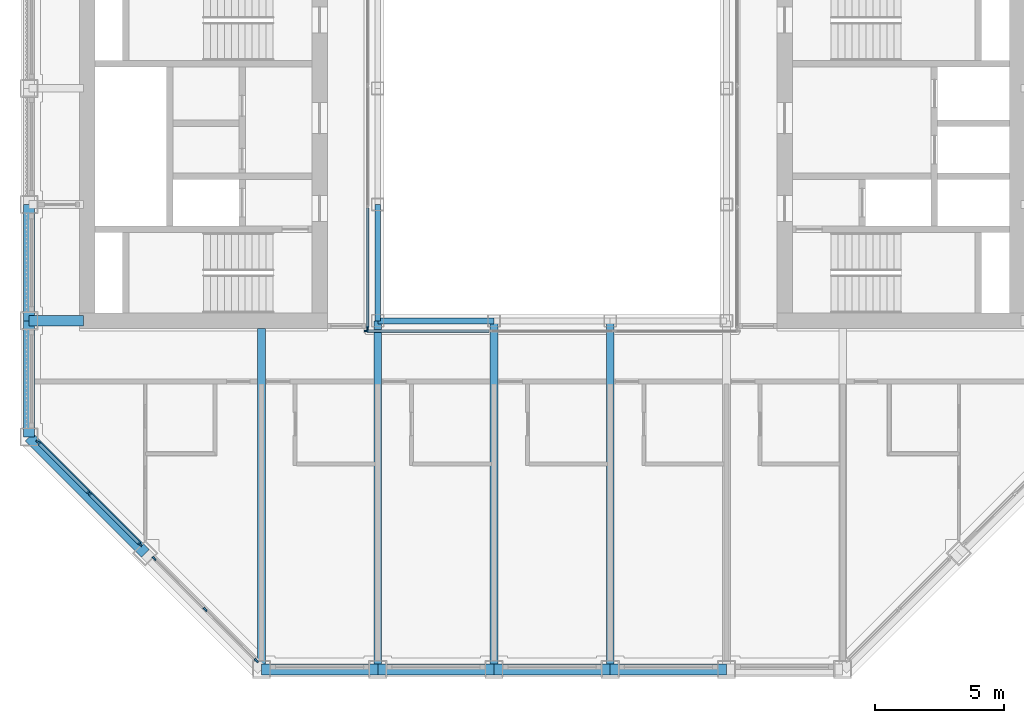
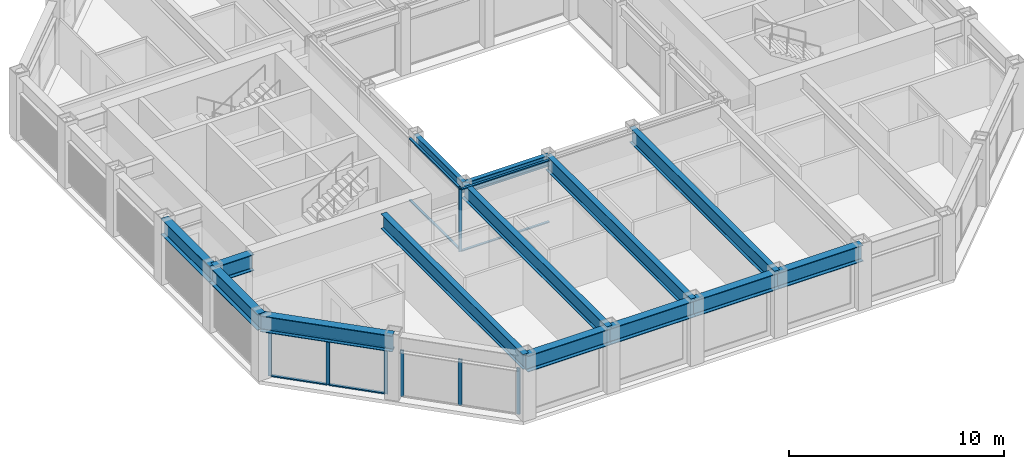
# One storey, part 2 of 18: 16 members, 14 beams, 4 elements without a shape of their own.
"""IFC4 building model written with IfcOpenShell, lengths in metres."""

from ifc_helpers import new_model, si_unit, direction, frame, origin, origin_2d, place, context, subcontext, project, spatial, rectangle, i_section, extrude, material, material_profile, profile_set, type_object, element, aggregate, save


model = new_model("IFC4")

# Units and contexts
model_context = context("Model", 3, precision=1e-05, world=origin(), true_north=direction((0.0, 1.0)))
body_context = subcontext(model_context, "Body", "Model", "MODEL_VIEW")
ifc_project = project(units=[si_unit("LENGTHUNIT", "METRE"), si_unit("AREAUNIT", "SQUARE_METRE"), si_unit("VOLUMEUNIT", "CUBIC_METRE"), si_unit("PLANEANGLEUNIT", "RADIAN"), si_unit("MASSUNIT", "GRAM", prefix="KILO")], contexts=[model_context])

# Site, building, storey
site_placement = place(None, origin())
site = spatial("IfcSite", under=ifc_project, at=site_placement, CompositionType="ELEMENT")
building_placement = place(site_placement, origin())
building = spatial("IfcBuilding", under=site, at=building_placement, Name="Msasa Ring Tower", CompositionType="ELEMENT")
storey_placement = place(building_placement, frame((0.0, 0.0, 200.800048828125)))
storey = spatial("IfcBuildingStorey", under=building, at=storey_placement, Name="L52", CompositionType="ELEMENT", Elevation=200.800048828125)

# Curtain wall, members
ifc_material_1 = material(Name="Aluminium curtain wall with clear glass", Category="aluminium")
curtain_wall_type_1 = type_object("IfcCurtainWallType", Name="CW-C CHAMFER CORNER CURTAIN WALL", PredefinedType="NOTDEFINED", material=ifc_material_1)
curtain_wall_1_placement = place(storey_placement, origin())
curtain_wall_1 = element("IfcCurtainWall", 1, at=curtain_wall_1_placement, inside=storey, type_object=curtain_wall_type_1, Name="Chamfer corner curtain wall SW L52", PredefinedType="NOTDEFINED")
ifc_material_2 = material(Name="Aluminium mullion", Category="aluminium")
ifc_material_profile_1 = material_profile(ifc_material_2, rectangle(XDim=0.06494140625, YDim=0.179931640625, at=origin_2d()), Name="AL 65x180")
ifc_profile_set_1 = profile_set([ifc_material_profile_1], Name="Aluminium mullion")
member_type_1 = type_object("IfcMemberType", Name="CW-C MULLION 65x180", PredefinedType="MULLION", material=ifc_profile_set_1)
member_1_placement = place(storey_placement, frame((-19.9052734375, -11.453369140625, 0.0), z_axis=(0.0, 0.0, 1.0), x_axis=(0.707106781187, 0.707106781187, 0.0)))
member_1 = element("IfcMember", 2, at=member_1_placement, type_object=member_type_1, Name="CW-C mullion 1", PredefinedType="MULLION", context=body_context, shape_type="SweptSolid", body=[
    extrude(rectangle(XDim=0.06494140625, YDim=0.179931640625, at=origin_2d()), origin(), (0.0, 0.0, 1.0), 2.62890625),
])
member_2_placement = place(storey_placement, frame((-17.92919921875, -13.42919921875, 0.0), z_axis=(0.0, 0.0, 1.0), x_axis=(0.707106781187, 0.707106781187, 0.0)))
member_2 = element("IfcMember", 3, at=member_2_placement, type_object=member_type_1, Name="CW-C mullion 2", PredefinedType="MULLION", context=body_context, shape_type="SweptSolid", body=[
    extrude(rectangle(XDim=0.06494140625, YDim=0.179931640625, at=origin_2d()), origin(), (0.0, 0.0, 1.0), 2.62890625),
])
member_3_placement = place(storey_placement, frame((-15.953369140625, -15.4052734375, 0.0), z_axis=(0.0, 0.0, 1.0), x_axis=(0.707106781187, 0.707106781187, 0.0)))
member_3 = element("IfcMember", 4, at=member_3_placement, type_object=member_type_1, Name="CW-C mullion 3", PredefinedType="MULLION", context=body_context, shape_type="SweptSolid", body=[
    extrude(rectangle(XDim=0.06494140625, YDim=0.179931640625, at=origin_2d()), origin(), (0.0, 0.0, 1.0), 2.62890625),
])

curtain_wall_2_placement = place(storey_placement, origin())
curtain_wall_2 = element("IfcCurtainWall", 5, at=curtain_wall_2_placement, inside=storey, type_object=curtain_wall_type_1, Name="Chamfer corner curtain wall SW L52", PredefinedType="NOTDEFINED")
member_4_placement = place(storey_placement, frame((-15.4052734375, -15.953369140625, 0.0), z_axis=(0.0, 0.0, 1.0), x_axis=(0.707106781187, 0.707106781187, 0.0)))
member_4 = element("IfcMember", 6, at=member_4_placement, type_object=member_type_1, Name="CW-C mullion 1", PredefinedType="MULLION", context=body_context, shape_type="SweptSolid", body=[
    extrude(rectangle(XDim=0.06494140625, YDim=0.179931640625, at=origin_2d()), origin(), (0.0, 0.0, 1.0), 2.62890625),
])
member_5_placement = place(storey_placement, frame((-13.42919921875, -17.92919921875, 0.0), z_axis=(0.0, 0.0, 1.0), x_axis=(0.707106781187, 0.707106781187, 0.0)))
member_5 = element("IfcMember", 7, at=member_5_placement, type_object=member_type_1, Name="CW-C mullion 2", PredefinedType="MULLION", context=body_context, shape_type="SweptSolid", body=[
    extrude(rectangle(XDim=0.06494140625, YDim=0.179931640625, at=origin_2d()), origin(), (0.0, 0.0, 1.0), 2.62890625),
])
member_6_placement = place(storey_placement, frame((-11.453369140625, -19.9052734375, 0.0), z_axis=(0.0, 0.0, 1.0), x_axis=(0.707106781187, 0.707106781187, 0.0)))
member_6 = element("IfcMember", 8, at=member_6_placement, type_object=member_type_1, Name="CW-C mullion 3", PredefinedType="MULLION", context=body_context, shape_type="SweptSolid", body=[
    extrude(rectangle(XDim=0.06494140625, YDim=0.179931640625, at=origin_2d()), origin(), (0.0, 0.0, 1.0), 2.62890625),
])
aggregate(curtain_wall_2, [member_4, member_5, member_6])

# Member
ifc_material_3 = material(Name="Aluminium transom", Category="aluminium")
ifc_material_profile_2 = material_profile(ifc_material_3, rectangle(XDim=0.139892578125, YDim=0.06494140625, at=origin_2d()), Name="AL 65x140")
ifc_profile_set_2 = profile_set([ifc_material_profile_2], Name="Aluminium transom")
member_type_2 = type_object("IfcMemberType", Name="CW-C TRANSOM 65x140", PredefinedType="USERDEFINED", material=ifc_profile_set_2)
member_7_placement = place(storey_placement, frame((-19.88232421875, -11.476318359375, 0.032470703125), z_axis=(0.707106781187, -0.707106781187, 0.0), x_axis=(0.707106781187, 0.707106781187, 0.0)))
member_7 = element("IfcMember", 9, at=member_7_placement, type_object=member_type_2, Name="CW-C transom 1.1", ObjectType="TRANSOM", PredefinedType="USERDEFINED", context=body_context, shape_type="SweptSolid", body=[
    extrude(rectangle(XDim=0.139892578125, YDim=0.06494140625, at=origin_2d()), origin(), (0.0, 0.0, 1.0), 2.729248046875),
])

member_8_placement = place(storey_placement, frame((-19.88232421875, -11.476318359375, 2.596435546875), z_axis=(0.707106781187, -0.707106781187, 0.0), x_axis=(0.707106781187, 0.707106781187, 0.0)))
member_8 = element("IfcMember", 10, at=member_8_placement, type_object=member_type_2, Name="CW-C transom 1.2", ObjectType="TRANSOM", PredefinedType="USERDEFINED", context=body_context, shape_type="SweptSolid", body=[
    extrude(rectangle(XDim=0.139892578125, YDim=0.06494140625, at=origin_2d()), origin(), (0.0, 0.0, 1.0), 2.729248046875),
])

member_9_placement = place(storey_placement, frame((-17.90625, -13.452392578125, 0.032470703125), z_axis=(0.707106781187, -0.707106781187, 0.0), x_axis=(0.707106781187, 0.707106781187, 0.0)))
member_9 = element("IfcMember", 11, at=member_9_placement, type_object=member_type_2, Name="CW-C transom 2.1", ObjectType="TRANSOM", PredefinedType="USERDEFINED", context=body_context, shape_type="SweptSolid", body=[
    extrude(rectangle(XDim=0.139892578125, YDim=0.06494140625, at=origin_2d()), origin(), (0.0, 0.0, 1.0), 2.729248046875),
])

member_10_placement = place(storey_placement, frame((-17.90625, -13.452392578125, 2.596435546875), z_axis=(0.707106781187, -0.707106781187, 0.0), x_axis=(0.707106781187, 0.707106781187, 0.0)))
member_10 = element("IfcMember", 12, at=member_10_placement, type_object=member_type_2, Name="CW-C transom 2.2", ObjectType="TRANSOM", PredefinedType="USERDEFINED", context=body_context, shape_type="SweptSolid", body=[
    extrude(rectangle(XDim=0.139892578125, YDim=0.06494140625, at=origin_2d()), origin(), (0.0, 0.0, 1.0), 2.729248046875),
])

aggregate(curtain_wall_1, [member_1, member_2, member_3, member_7, member_8, member_9, member_10])

# Curtain wall, member
ifc_material_4 = material(Name="Aluminium curtain wall with clear glass", Category="aluminium")
curtain_wall_type_2 = type_object("IfcCurtainWallType", Name="CW-W LIGHT WELL CURTAIN WALL", PredefinedType="NOTDEFINED", material=ifc_material_4)
curtain_wall_3_placement = place(storey_placement, origin())
curtain_wall_3 = element("IfcCurtainWall", 13, at=curtain_wall_3_placement, inside=storey, type_object=curtain_wall_type_2, Name="Light well curtain wall S L52", PredefinedType="NOTDEFINED")
ifc_material_5 = material(Name="Aluminium mullion", Category="aluminium")
ifc_material_profile_3 = material_profile(ifc_material_5, rectangle(XDim=0.06005859375, YDim=0.159912109375, at=origin_2d()), Name="AL 60x160")
ifc_profile_set_3 = profile_set([ifc_material_profile_3], Name="Aluminium mullion")
member_type_3 = type_object("IfcMemberType", Name="CW-W MULLION 60x160", PredefinedType="MULLION", material=ifc_profile_set_3)
member_11_placement = place(storey_placement, frame((-7.199951171875, -7.14990234375, 0.0), z_axis=(0.0, 0.0, 1.0), x_axis=(0.0, 1.0, 0.0)))
member_11 = element("IfcMember", 14, at=member_11_placement, type_object=member_type_3, Name="CW-W mullion 1", PredefinedType="MULLION", context=body_context, shape_type="SweptSolid", body=[
    extrude(rectangle(XDim=0.06005859375, YDim=0.159912109375, at=origin_2d()), origin(), (0.0, 0.0, 1.0), 3.550048828125),
])

curtain_wall_4_placement = place(storey_placement, origin())
curtain_wall_4 = element("IfcCurtainWall", 15, at=curtain_wall_4_placement, inside=storey, type_object=curtain_wall_type_2, Name="Light well curtain wall W L52", PredefinedType="NOTDEFINED")
member_12_placement = place(storey_placement, frame((-7.14990234375, -7.0400390625, 0.0), z_axis=(0.0, 0.0, 1.0), x_axis=(-1.0, 0.0, 0.0)))
member_12 = element("IfcMember", 16, at=member_12_placement, type_object=member_type_3, Name="CW-W mullion 1", PredefinedType="MULLION", context=body_context, shape_type="SweptSolid", body=[
    extrude(rectangle(XDim=0.06005859375, YDim=0.159912109375, at=origin_2d()), origin(), (0.0, 0.0, 1.0), 3.550048828125),
])

# Member
ifc_material_6 = material(Name="Aluminium transom", Category="aluminium")
ifc_material_profile_4 = material_profile(ifc_material_6, rectangle(XDim=0.1201171875, YDim=0.06005859375, at=origin_2d()), Name="AL 60x120")
ifc_profile_set_4 = profile_set([ifc_material_profile_4], Name="Aluminium transom")
member_type_4 = type_object("IfcMemberType", Name="CW-W TRANSOM 60x120", PredefinedType="USERDEFINED", material=ifc_profile_set_4)
member_13_placement = place(storey_placement, frame((-7.169921875, -7.14990234375, 0.030029296875), z_axis=(1.0, 0.0, 0.0), x_axis=(0.0, 1.0, 0.0)))
member_13 = element("IfcMember", 17, at=member_13_placement, type_object=member_type_4, Name="CW-W transom 1.1", ObjectType="TRANSOM", PredefinedType="USERDEFINED", context=body_context, shape_type="SweptSolid", body=[
    extrude(rectangle(XDim=0.1201171875, YDim=0.06005859375, at=origin_2d()), origin(), (0.0, 0.0, 1.0), 4.72998046875),
])

member_14_placement = place(storey_placement, frame((-7.169921875, -7.14990234375, 3.52001953125), z_axis=(1.0, 0.0, 0.0), x_axis=(0.0, 1.0, 0.0)))
member_14 = element("IfcMember", 18, at=member_14_placement, type_object=member_type_4, Name="CW-W transom 1.2", ObjectType="TRANSOM", PredefinedType="USERDEFINED", context=body_context, shape_type="SweptSolid", body=[
    extrude(rectangle(XDim=0.1201171875, YDim=0.06005859375, at=origin_2d()), origin(), (0.0, 0.0, 1.0), 4.72998046875),
])

aggregate(curtain_wall_3, [member_11, member_13, member_14])

member_15_placement = place(storey_placement, frame((-7.14990234375, -7.010009765625, 0.030029296875), z_axis=(0.0, 1.0, 0.0), x_axis=(-1.0, 0.0, 0.0)))
member_15 = element("IfcMember", 19, at=member_15_placement, type_object=member_type_4, Name="CW-W transom 1.1", ObjectType="TRANSOM", PredefinedType="USERDEFINED", context=body_context, shape_type="SweptSolid", body=[
    extrude(rectangle(XDim=0.1201171875, YDim=0.06005859375, at=origin_2d()), origin(), (0.0, 0.0, 1.0), 4.623291015625),
])

member_16_placement = place(storey_placement, frame((-7.14990234375, -7.010009765625, 3.52001953125), z_axis=(0.0, 1.0, 0.0), x_axis=(-1.0, 0.0, 0.0)))
member_16 = element("IfcMember", 20, at=member_16_placement, type_object=member_type_4, Name="CW-W transom 1.2", ObjectType="TRANSOM", PredefinedType="USERDEFINED", context=body_context, shape_type="SweptSolid", body=[
    extrude(rectangle(XDim=0.1201171875, YDim=0.06005859375, at=origin_2d()), origin(), (0.0, 0.0, 1.0), 4.623291015625),
])

aggregate(curtain_wall_4, [member_12, member_15, member_16])

# Beams
ifc_material_7 = material(Name="Steel S355", Category="steel")
ifc_material_profile_5 = material_profile(ifc_material_7, i_section(OverallWidth=0.293701171875, OverallDepth=0.850830078125, WebThickness=0.01611328125, FlangeThickness=0.02685546875, FilletRadius=0.017822265625, at=origin_2d()), Name="UB 838x292x226")
ifc_profile_set_5 = profile_set([ifc_material_profile_5], Name="Steel S355")
beam_type_1 = type_object("IfcBeamType", Name="FB5 UB 838x292x226", PredefinedType="BEAM", material=ifc_profile_set_5)
beam_1_placement = place(storey_placement, frame((-11.25, -20.25, 3.12451171875), z_axis=(0.0, 1.0, 0.0), x_axis=(-1.0, 0.0, 0.0)))
element("IfcBeam", 21, at=beam_1_placement, inside=storey, type_object=beam_type_1, Name="Floor beam S-11.25 under L53", PredefinedType="BEAM", context=body_context, shape_type="SweptSolid", body=[
    extrude(i_section(OverallWidth=0.293701171875, OverallDepth=0.850830078125, WebThickness=0.01611328125, FlangeThickness=0.02685546875, FilletRadius=0.017822265625, at=origin_2d()), origin(), (0.0, 0.0, 1.0), 13.199951171875),
])
for number, where, z_axis, x_axis, name in (
    (22, (-6.75, -20.25, 3.12451171875), (0.0, 1.0, 0.0), (-1.0, 0.0, 0.0), "Floor beam S-6.75 under L53"),
    (23, (-2.25, -20.25, 3.12451171875), (0.0, 1.0, 0.0), (-1.0, 0.0, 0.0), "Floor beam S-2.25 under L53"),
    (24, (2.25, -20.25, 3.12451171875), (0.0, 1.0, 0.0), (-1.0, 0.0, 0.0), "Floor beam S+2.25 under L53"),
):
    element("IfcBeam", number, at=place(storey_placement, frame(where, z_axis=z_axis, x_axis=x_axis)), inside=storey, type_object=beam_type_1, Name=name, PredefinedType="BEAM", context=body_context, shape_type="SweptSolid", body=[
        extrude(i_section(OverallWidth=0.293701171875, OverallDepth=0.850830078125, WebThickness=0.01611328125, FlangeThickness=0.02685546875, FilletRadius=0.017822265625, at=origin_2d()), origin(), (0.0, 0.0, 1.0), 13.5),
    ])
ifc_material_8 = material(Name="Steel S355", Category="steel")
ifc_material_profile_6 = material_profile(ifc_material_8, i_section(OverallWidth=0.42041015625, OverallDepth=0.9208984375, WebThickness=0.021484375, FlangeThickness=0.03662109375, FilletRadius=0.024169921875, at=origin_2d()), Name="UB 914x419x388")
ifc_profile_set_6 = profile_set([ifc_material_profile_6], Name="Steel S355")
beam_type_2 = type_object("IfcBeamType", Name="GB1 UB 914x419x388", PredefinedType="BEAM", material=ifc_profile_set_6)
beam_2_placement = place(storey_placement, frame((-18.14990234375, -6.75, 3.08935546875), z_axis=(-1.0, 0.0, 0.0), x_axis=(0.0, -1.0, 0.0)))
element("IfcBeam", 25, at=beam_2_placement, inside=storey, type_object=beam_type_2, Name="Girder W -6.75 under L53", PredefinedType="BEAM", context=body_context, shape_type="SweptSolid", body=[
    extrude(i_section(OverallWidth=0.42041015625, OverallDepth=0.9208984375, WebThickness=0.021484375, FlangeThickness=0.03662109375, FilletRadius=0.024169921875, at=origin_2d()), origin(), (0.0, 0.0, 1.0), 2.10009765625),
])
ifc_material_9 = material(Name="Steel S355", Category="steel")
ifc_material_profile_7 = material_profile(ifc_material_9, i_section(OverallWidth=0.230224609375, OverallDepth=0.6171875, WebThickness=0.01318359375, FlangeThickness=0.022216796875, FilletRadius=0.0126953125, at=origin_2d()), Name="UB 610x229x140")
ifc_profile_set_7 = profile_set([ifc_material_profile_7], Name="Steel S355")
beam_type_3 = type_object("IfcBeamType", Name="RB1 UB 610x229x140", PredefinedType="BEAM", material=ifc_profile_set_7)
for number, where, z_axis, x_axis, name in (
    (26, (-6.75, -2.25, 3.241455078125), (0.0, -1.0, 0.0), (1.0, 0.0, 0.0), "Inner ring beam IR-6.75-2.25 under L53"),
    (27, (-6.75, -6.75, 3.241455078125), (1.0, 0.0, 0.0), (0.0, 1.0, 0.0), "Inner ring beam IR-6.75-6.75 under L53"),
):
    element("IfcBeam", number, at=place(storey_placement, frame(where, z_axis=z_axis, x_axis=x_axis)), inside=storey, type_object=beam_type_3, Name=name, PredefinedType="BEAM", context=body_context, shape_type="SweptSolid", body=[
        extrude(i_section(OverallWidth=0.230224609375, OverallDepth=0.6171875, WebThickness=0.01318359375, FlangeThickness=0.022216796875, FilletRadius=0.0126953125, at=origin_2d()), origin(), (0.0, 0.0, 1.0), 4.5),
    ])
ifc_material_10 = material(Name="Steel S355", Category="steel")
ifc_material_profile_8 = material_profile(ifc_material_10, i_section(OverallWidth=0.42041015625, OverallDepth=0.9208984375, WebThickness=0.021484375, FlangeThickness=0.03662109375, FilletRadius=0.024169921875, at=origin_2d()), Name="UB 914x419x388")
ifc_profile_set_8 = profile_set([ifc_material_profile_8], Name="Steel S355")
beam_type_4 = type_object("IfcBeamType", Name="SB1 UB 914x419x388", PredefinedType="SPANDREL", material=ifc_profile_set_8)
for number, where, z_axis, x_axis, name in (
    (28, (-20.25, -2.25, 3.08935546875), (0.0, -1.0, 0.0), (1.0, 0.0, 0.0), "Spandrel W-2.25 to W-6.75 under L53"),
    (29, (-20.25, -6.75, 3.08935546875), (0.0, -1.0, 0.0), (1.0, 0.0, 0.0), "Spandrel W-6.75 to W-11.25 under L53"),
):
    element("IfcBeam", number, at=place(storey_placement, frame(where, z_axis=z_axis, x_axis=x_axis)), inside=storey, type_object=beam_type_4, Name=name, PredefinedType="SPANDREL", context=body_context, shape_type="SweptSolid", body=[
        extrude(i_section(OverallWidth=0.42041015625, OverallDepth=0.9208984375, WebThickness=0.021484375, FlangeThickness=0.03662109375, FilletRadius=0.024169921875, at=origin_2d()), origin(), (0.0, 0.0, 1.0), 4.5),
    ])
beam_3_placement = place(storey_placement, frame((-20.25, -11.25, 3.08935546875), z_axis=(0.707106781187, -0.707106781187, 0.0), x_axis=(0.707106781187, 0.707106781187, 0.0)))
element("IfcBeam", 30, at=beam_3_placement, inside=storey, type_object=beam_type_4, Name="Spandrel W-11.25 to SW under L53", PredefinedType="SPANDREL", context=body_context, shape_type="SweptSolid", body=[
    extrude(i_section(OverallWidth=0.42041015625, OverallDepth=0.9208984375, WebThickness=0.021484375, FlangeThickness=0.03662109375, FilletRadius=0.024169921875, at=origin_2d()), origin(), (0.0, 0.0, 1.0), 6.364013671875),
])
for number, where, z_axis, x_axis, name in (
    (31, (-11.25, -20.25, 3.08935546875), (1.0, 0.0, 0.0), (0.0, 1.0, 0.0), "Spandrel S-11.25 to S-6.75 under L53"),
    (32, (-6.75, -20.25, 3.08935546875), (1.0, 0.0, 0.0), (0.0, 1.0, 0.0), "Spandrel S-6.75 to S-2.25 under L53"),
    (33, (-2.25, -20.25, 3.08935546875), (1.0, 0.0, 0.0), (0.0, 1.0, 0.0), "Spandrel S-2.25 to S+2.25 under L53"),
    (34, (2.25, -20.25, 3.08935546875), (1.0, 0.0, 0.0), (0.0, 1.0, 0.0), "Spandrel S+2.25 to S+6.75 under L53"),
):
    element("IfcBeam", number, at=place(storey_placement, frame(where, z_axis=z_axis, x_axis=x_axis)), inside=storey, type_object=beam_type_4, Name=name, PredefinedType="SPANDREL", context=body_context, shape_type="SweptSolid", body=[
        extrude(i_section(OverallWidth=0.42041015625, OverallDepth=0.9208984375, WebThickness=0.021484375, FlangeThickness=0.03662109375, FilletRadius=0.024169921875, at=origin_2d()), origin(), (0.0, 0.0, 1.0), 4.5),
    ])

save(model, "model.ifc")
